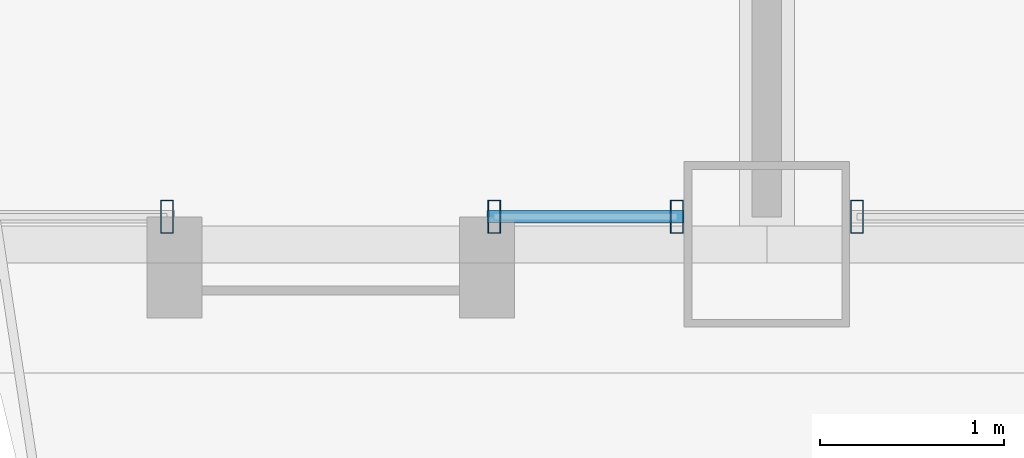
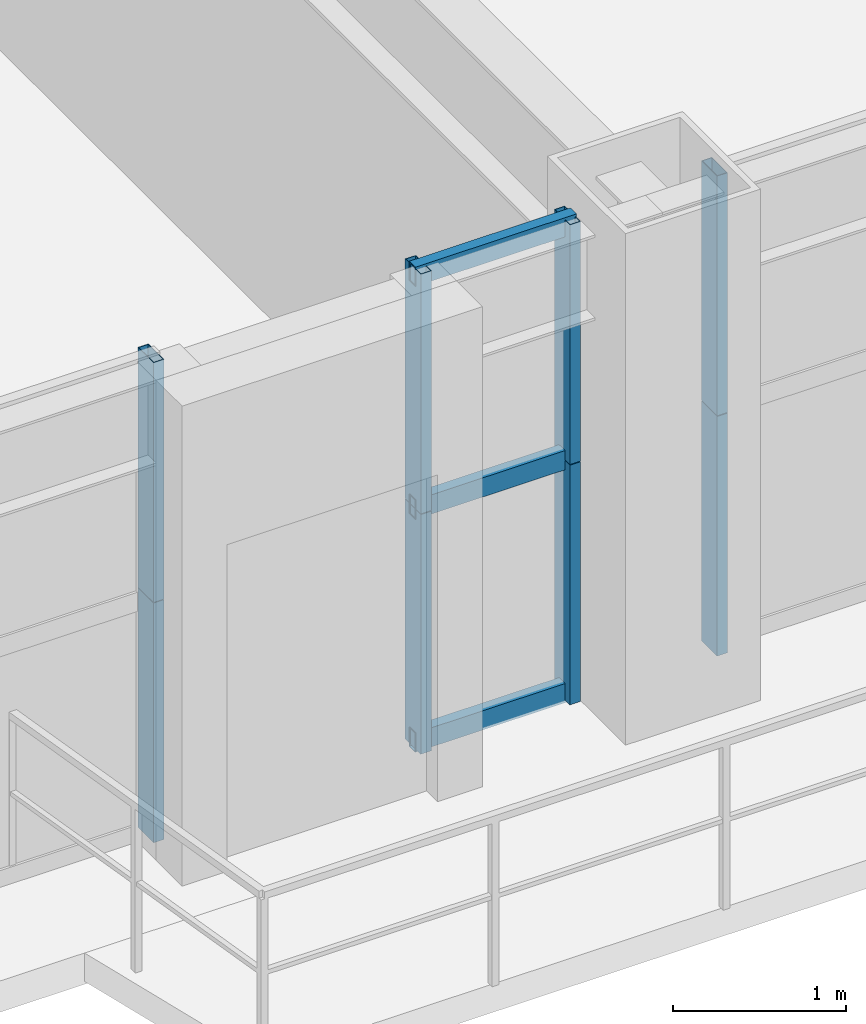
# One storey, part 8 of 45: 11 members, 3 elements without a shape of their own.
"""IFC4 building model written with IfcOpenShell, lengths in metres."""

import ifcopenshell
import ifcopenshell.guid

model = None  # the IFC model being written
_history = None  # IfcOwnerHistory: only IFC2X3 demands one
_inside = {}  # id of a spatial element -> (the spatial element, [elements in it])
_under = {}  # id of a project, library or spatial element -> (it, [spatial elements below it])
_declared = {}  # id of a project -> (the project, [libraries it declares])
_typed = {}  # id of a type object -> (the type object, [elements of that type])
_made_of = {}  # id of a material, layer set ... -> (it, [elements and type objects made of it])


def new_model(schema):
    """Start an empty IFC model of exactly this schema.

    Asked for "IFC4X3", IfcOpenShell would pick the latest addendum, in which some entities
    have other attributes; the version numbers below select the first issue.
    IFC2X3 requires an IfcOwnerHistory on every rooted entity: one is made here for all.
    """
    global model, _history
    if schema == "IFC4X3":
        model = ifcopenshell.file(schema_version=(4, 3, 0, 0))
    else:
        model = ifcopenshell.file(schema=schema)
    _inside.clear()
    _under.clear()
    _declared.clear()
    _typed.clear()
    _made_of.clear()
    _history = None
    if model.schema == "IFC2X3":
        org = make("IfcOrganization", Name="unknown")
        user = make(
            "IfcPersonAndOrganization",
            ThePerson=make("IfcPerson", FamilyName="unknown"),
            TheOrganization=org,
        )
        app = make(
            "IfcApplication",
            ApplicationDeveloper=org,
            Version="unknown",
            ApplicationFullName="unknown",
            ApplicationIdentifier="unknown",
        )
        _history = make(
            "IfcOwnerHistory",
            OwningUser=user,
            OwningApplication=app,
            ChangeAction="ADDED",
            CreationDate=0,
        )
    return model


def make(cls, **values):
    """One entity of the class cls with the attributes given. An attribute that is None is left unset."""
    return model.create_entity(
        cls, **{name: value for name, value in values.items() if value is not None}
    )


def rooted(cls, **values):
    """An entity with a GlobalId (a new one), such as an element, a storey or a relation."""
    return make(cls, GlobalId=ifcopenshell.guid.new(), OwnerHistory=_history, **values)


def si_unit(unit_type, name, prefix=None):
    """IfcSIUnit, for example si_unit("LENGTHUNIT", "METRE", prefix="MILLI")."""
    return make("IfcSIUnit", UnitType=unit_type, Prefix=prefix, Name=name)


def assignment(units):
    """IfcUnitAssignment: the units of a project."""
    return None if units is None else make("IfcUnitAssignment", Units=units)


def point(xyz):
    """IfcCartesianPoint."""
    return None if xyz is None else make("IfcCartesianPoint", Coordinates=xyz)


def direction(xyz):
    """IfcDirection."""
    return None if xyz is None else make("IfcDirection", DirectionRatios=xyz)


def frame(location, z_axis=None, x_axis=None):
    """IfcAxis2Placement3D, a coordinate frame: its origin and axes. An axis left out is left unset."""
    return make(
        "IfcAxis2Placement3D",
        Location=point(location),
        Axis=direction(z_axis),
        RefDirection=direction(x_axis),
    )


def frame_2d(location, x_axis=None):
    """IfcAxis2Placement2D, a coordinate frame in the plane: its origin and x axis."""
    return make(
        "IfcAxis2Placement2D", Location=point(location), RefDirection=direction(x_axis)
    )


def origin():
    """The frame at (0, 0, 0) with its axes left unset."""
    return frame((0.0, 0.0, 0.0))


def origin_2d():
    """The frame at (0, 0) in the plane with its x axis left unset."""
    return frame_2d((0.0, 0.0))


def place(relative_to, where):
    """IfcLocalPlacement: puts the frame where relative to a parent placement (None: the world)."""
    return make(
        "IfcLocalPlacement", PlacementRelTo=relative_to, RelativePlacement=where
    )


def context(
    kind, dimensions, precision=None, world=None, true_north=None, identifier=None
):
    """IfcGeometricRepresentationContext, for example the 3D "Model" context."""
    return make(
        "IfcGeometricRepresentationContext",
        ContextIdentifier=identifier,
        ContextType=kind,
        CoordinateSpaceDimension=dimensions,
        Precision=precision,
        WorldCoordinateSystem=world,
        TrueNorth=true_north,
    )


def subcontext(parent, identifier, kind, view, scale=None):
    """IfcGeometricRepresentationSubContext, for example "Body" below "Model"."""
    return make(
        "IfcGeometricRepresentationSubContext",
        ContextIdentifier=identifier,
        ContextType=kind,
        ParentContext=parent,
        TargetScale=scale,
        TargetView=view,
    )


def project(units=None, contexts=None):
    """IfcProject with its units and contexts."""
    return rooted(
        "IfcProject",
        Name="project",
        RepresentationContexts=contexts,
        UnitsInContext=assignment(units),
    )


def spatial(cls, under=None, at=None, **own):
    """A site, building, storey or space (cls), placed at a placement, below another one or the project."""
    s = rooted(cls, ObjectPlacement=at, **own)
    if under is not None:
        _under.setdefault(under.id(), (under, []))[1].append(s)
    return s


def profile(cls, at=None, kind="AREA", **sizes):
    """A parametric profile (cls). Its sizes go by their IFC names, for example OverallWidth=200.0."""
    return make(cls, ProfileType=kind, Position=at, **sizes)


def hollow_rectangle(**sizes):
    """IfcRectangleHollowProfileDef."""
    return profile("IfcRectangleHollowProfileDef", **sizes)


def extrude(swept, where, along, depth):
    """IfcExtrudedAreaSolid: the profile swept, set in the frame where, extruded along a direction by depth."""
    return make(
        "IfcExtrudedAreaSolid",
        SweptArea=swept,
        Position=where,
        ExtrudedDirection=direction(along),
        Depth=depth,
    )


def shape(context_of_items, identifier, shape_type, items):
    """IfcShapeRepresentation: the items that make up one representation, for example the "Body"."""
    return make(
        "IfcShapeRepresentation",
        ContextOfItems=context_of_items,
        RepresentationIdentifier=identifier,
        RepresentationType=shape_type,
        Items=items,
    )


def source(mapping_origin, context_of_items, identifier, shape_type, items):
    """IfcRepresentationMap: a shape defined once, which mapped items show again and again."""
    return make(
        "IfcRepresentationMap",
        MappingOrigin=mapping_origin,
        MappedRepresentation=shape(context_of_items, identifier, shape_type, items),
    )


def transform(
    local_origin,
    x_axis=None,
    y_axis=None,
    z_axis=None,
    scale=None,
    scale2=None,
    scale3=None,
    uniform=True,
):
    """IfcCartesianTransformationOperator3D, or its non-uniform kind. x_axis, y_axis, z_axis: its Axis1, 2, 3."""
    if uniform:
        return make(
            "IfcCartesianTransformationOperator3D",
            Axis1=direction(x_axis),
            Axis2=direction(y_axis),
            LocalOrigin=point(local_origin),
            Scale=scale,
            Axis3=direction(z_axis),
        )
    return make(
        "IfcCartesianTransformationOperator3DnonUniform",
        Axis1=direction(x_axis),
        Axis2=direction(y_axis),
        LocalOrigin=point(local_origin),
        Scale=scale,
        Axis3=direction(z_axis),
        Scale2=scale2,
        Scale3=scale3,
    )


def mapped(mapping_source, mapping_target):
    """IfcMappedItem: shows the shape of a source again, moved by a transform."""
    return make(
        "IfcMappedItem", MappingSource=mapping_source, MappingTarget=mapping_target
    )


def material(Name=None, Category=None):
    """IfcMaterial."""
    return make("IfcMaterial", Name=Name, Category=Category)


def layer(
    of_material, thickness, ventilated=None, Name=None, Category=None, Priority=None
):
    """IfcMaterialLayer: one layer of a wall or slab, of a material (None: an air gap)."""
    return make(
        "IfcMaterialLayer",
        Material=of_material,
        LayerThickness=thickness,
        IsVentilated=ventilated,
        Name=Name,
        Category=Category,
        Priority=Priority,
    )


def layer_set(layers, Name=None):
    """IfcMaterialLayerSet."""
    return make("IfcMaterialLayerSet", MaterialLayers=layers, LayerSetName=Name)


def material_profile(
    of_material, cross_section, Name=None, Category=None, Priority=None
):
    """IfcMaterialProfile: a cross section and its material."""
    return make(
        "IfcMaterialProfile",
        Name=Name,
        Material=of_material,
        Profile=cross_section,
        Priority=Priority,
        Category=Category,
    )


def profile_set(profiles, Name=None, composite=None):
    """IfcMaterialProfileSet."""
    return make(
        "IfcMaterialProfileSet",
        Name=Name,
        MaterialProfiles=profiles,
        CompositeProfile=composite,
    )


def made_of(thing, what):
    """Note that an element or type object is made of a material, layer set ...; save() writes the relation."""
    if what is not None:
        _made_of.setdefault(what.id(), (what, []))[1].append(thing)
    return thing


def type_object(cls, material=None, **own):
    """A type object (cls), such as IfcWallType, which elements share."""
    return made_of(rooted(cls, **own), material)


def element(
    cls,
    number,
    at=None,
    inside=None,
    cuts=None,
    type_object=None,
    material=None,
    context=None,
    identifier="Body",
    shape_type=None,
    held_by="IfcProductDefinitionShape",
    body=None,
    shapes=None,
    **own,
):
    """One element of the class cls, such as IfcWall. Its Tag is "e" and its number.

    at: its placement. inside: the storey or other place that contains it. cuts: it is an
    opening in that element (IfcRelVoidsElement). A single representation is given by context,
    identifier, shape_type and body (its items); several are given by shapes. held_by: the class
    of the entity that holds the representations. save() writes the other relations.
    """
    e = rooted(cls, Tag="e%d" % number, ObjectPlacement=at, **own)
    if body is not None:
        shapes = [shape(context, identifier, shape_type, body)]
    if shapes is not None:
        e.Representation = make(held_by, Representations=shapes)
    if inside is not None:
        _inside.setdefault(inside.id(), (inside, []))[1].append(e)
    if cuts is not None:
        rooted(
            "IfcRelVoidsElement", RelatingBuildingElement=cuts, RelatedOpeningElement=e
        )
    if type_object is not None:
        _typed.setdefault(type_object.id(), (type_object, []))[1].append(e)
    return made_of(e, material)


def aggregate(whole, parts):
    """IfcRelAggregates: a whole, such as a stair, and the parts it consists of."""
    return rooted("IfcRelAggregates", RelatingObject=whole, RelatedObjects=parts)


def save(model, path):
    """Write the relations noted so far, then the file.

    IfcRelAggregates (storeys below a building ...), IfcRelContainedInSpatialStructure (elements
    in a storey), IfcRelDefinesByType, IfcRelAssociatesMaterial and IfcRelDeclares: one each for
    every whole, place, type object, material and project.
    """
    for whole, parts in _under.values():
        aggregate(whole, parts)
    for where, things in _inside.values():
        rooted(
            "IfcRelContainedInSpatialStructure",
            RelatedElements=things,
            RelatingStructure=where,
        )
    for kind, things in _typed.values():
        rooted("IfcRelDefinesByType", RelatedObjects=things, RelatingType=kind)
    for what, things in _made_of.values():
        rooted("IfcRelAssociatesMaterial", RelatedObjects=things, RelatingMaterial=what)
    for by, libraries in _declared.values():
        rooted("IfcRelDeclares", RelatingContext=by, RelatedDefinitions=libraries)
    model.write(path)


model = new_model("IFC4")

# Units and contexts
model_context = context("Model", 3, precision=1e-05, world=origin(), true_north=direction((0.0, 1.0)))
body_context = subcontext(model_context, "Body", "Model", "MODEL_VIEW")
ifc_project = project(units=[si_unit("LENGTHUNIT", "METRE"), si_unit("AREAUNIT", "SQUARE_METRE"), si_unit("VOLUMEUNIT", "CUBIC_METRE"), si_unit("PLANEANGLEUNIT", "RADIAN"), si_unit("MASSUNIT", "GRAM", prefix="KILO"), si_unit("THERMODYNAMICTEMPERATUREUNIT", "KELVIN"), si_unit("POWERUNIT", "WATT")], contexts=[model_context])

# Site, building, storey
site_placement = place(None, origin())
site = spatial("IfcSite", under=ifc_project, at=site_placement, CompositionType="ELEMENT")
building_placement = place(site_placement, origin())
building = spatial("IfcBuilding", under=site, at=building_placement, Name="Yuzanri Waterfront Tower", CompositionType="ELEMENT")
storey_placement = place(building_placement, frame((0.0, 0.0, 34.199951171875)))
storey = spatial("IfcBuildingStorey", under=building, at=storey_placement, Name="L08", CompositionType="ELEMENT", Elevation=34.199951171875)

# Curtain wall, members
ifc_material_1 = material(Name="Anodized Architectural Bronze", Category="metal")
ifc_layer = layer(ifc_material_1, 0.159912109375)
ifc_layer_set = layer_set([ifc_layer], Name="Anodized Architectural Bronze")
curtain_wall_type = type_object("IfcCurtainWallType", Name="Anodized Bronze Hotel Lower-Tier Recessed Unitized Curtain Wall 8100", PredefinedType="NOTDEFINED", material=ifc_layer_set)
curtain_wall_1_placement = place(storey_placement, origin())
curtain_wall_1 = element("IfcCurtainWall", 1, at=curtain_wall_1_placement, inside=storey, type_object=curtain_wall_type, Name="L08 Curtain Wall CW-L08-SL1", PredefinedType="NOTDEFINED")
ifc_material_2 = material(Name="Anodized Architectural Bronze", Category="metal")
ifc_material_profile_1 = material_profile(ifc_material_2, hollow_rectangle(XDim=0.070068359375, YDim=0.179931640625, WallThickness=0.00390625, at=origin_2d()), Name="CWM 70x180")
ifc_profile_set_1 = profile_set([ifc_material_profile_1], Name="Anodized Architectural Bronze")
member_type_1 = type_object("IfcMemberType", Name="Anodized Bronze Standard Curtain-Wall Mullion 70x180", PredefinedType="MULLION", material=ifc_profile_set_1)
shared_shape_1 = source(origin(), body_context, "Body", "SweptSolid", [
    extrude(hollow_rectangle(XDim=0.070068359375, YDim=0.179931640625, WallThickness=0.00390625, at=origin_2d()), origin(), (0.0, 0.0, 1.0), 1.68798828125),
])
member_1_placement = place(storey_placement, frame((33.737060546875, 0.85009765625, 0.0), z_axis=(0.0, 0.0, 1.0), x_axis=(1.0, 0.0, 0.0)))
member_1 = element("IfcMember", 2, at=member_1_placement, type_object=member_type_1, Name="CW-L08-SL1 Lower Mullion 02", PredefinedType="MULLION", context=body_context, shape_type="MappedRepresentation", body=[
    mapped(shared_shape_1, transform((0.0, 0.0, 0.0), scale=1.0)),
])
member_2_placement = place(storey_placement, frame((33.737060546875, 0.85009765625, 1.692138671875), z_axis=(0.0, 0.0, 1.0), x_axis=(1.0, 0.0, 0.0)))
member_2 = element("IfcMember", 3, at=member_2_placement, type_object=member_type_1, Name="CW-L08-SL1 Upper Mullion 02", PredefinedType="MULLION", context=body_context, shape_type="MappedRepresentation", body=[
    mapped(shared_shape_1, transform((0.0, 0.0, 0.0), scale=1.0)),
])
aggregate(curtain_wall_1, [member_1, member_2])

curtain_wall_2_placement = place(storey_placement, origin())
curtain_wall_2 = element("IfcCurtainWall", 4, at=curtain_wall_2_placement, inside=storey, type_object=curtain_wall_type, Name="L08 Curtain Wall CW-L08-SL2", PredefinedType="NOTDEFINED")
member_3_placement = place(storey_placement, frame((35.51708984375, 0.85009765625, 0.0), z_axis=(0.0, 0.0, 1.0), x_axis=(1.0, 0.0, 0.0)))
member_3 = element("IfcMember", 5, at=member_3_placement, type_object=member_type_1, Name="CW-L08-SL2 Lower Mullion 00", PredefinedType="MULLION", context=body_context, shape_type="MappedRepresentation", body=[
    mapped(shared_shape_1, transform((0.0, 0.0, 0.0), scale=1.0)),
])
member_4_placement = place(storey_placement, frame((35.51708984375, 0.85009765625, 1.692138671875), z_axis=(0.0, 0.0, 1.0), x_axis=(1.0, 0.0, 0.0)))
member_4 = element("IfcMember", 6, at=member_4_placement, type_object=member_type_1, Name="CW-L08-SL2 Upper Mullion 00", PredefinedType="MULLION", context=body_context, shape_type="MappedRepresentation", body=[
    mapped(shared_shape_1, transform((0.0, 0.0, 0.0), scale=1.0)),
])
member_5_placement = place(storey_placement, frame((36.510009765625, 0.85009765625, 0.0), z_axis=(0.0, 0.0, 1.0), x_axis=(1.0, 0.0, 0.0)))
member_5 = element("IfcMember", 7, at=member_5_placement, type_object=member_type_1, Name="CW-L08-SL2 Lower Mullion 01", PredefinedType="MULLION", context=body_context, shape_type="MappedRepresentation", body=[
    mapped(shared_shape_1, transform((0.0, 0.0, 0.0), scale=1.0)),
])
member_6_placement = place(storey_placement, frame((36.510009765625, 0.85009765625, 1.692138671875), z_axis=(0.0, 0.0, 1.0), x_axis=(1.0, 0.0, 0.0)))
member_6 = element("IfcMember", 8, at=member_6_placement, type_object=member_type_1, Name="CW-L08-SL2 Upper Mullion 01", PredefinedType="MULLION", context=body_context, shape_type="MappedRepresentation", body=[
    mapped(shared_shape_1, transform((0.0, 0.0, 0.0), scale=1.0)),
])

curtain_wall_3_placement = place(storey_placement, origin())
curtain_wall_3 = element("IfcCurtainWall", 9, at=curtain_wall_3_placement, inside=storey, type_object=curtain_wall_type, Name="L08 Curtain Wall CW-L08-SR", PredefinedType="NOTDEFINED")
member_7_placement = place(storey_placement, frame((37.489990234375, 0.85009765625, 0.0), z_axis=(0.0, 0.0, 1.0), x_axis=(1.0, 0.0, 0.0)))
member_7 = element("IfcMember", 10, at=member_7_placement, type_object=member_type_1, Name="CW-L08-SR Lower Mullion 00", PredefinedType="MULLION", context=body_context, shape_type="MappedRepresentation", body=[
    mapped(shared_shape_1, transform((0.0, 0.0, 0.0), scale=1.0)),
])
member_8_placement = place(storey_placement, frame((37.489990234375, 0.85009765625, 1.692138671875), z_axis=(0.0, 0.0, 1.0), x_axis=(1.0, 0.0, 0.0)))
member_8 = element("IfcMember", 11, at=member_8_placement, type_object=member_type_1, Name="CW-L08-SR Upper Mullion 00", PredefinedType="MULLION", context=body_context, shape_type="MappedRepresentation", body=[
    mapped(shared_shape_1, transform((0.0, 0.0, 0.0), scale=1.0)),
])
aggregate(curtain_wall_3, [member_7, member_8])

# Member
ifc_material_3 = material(Name="Anodized Architectural Bronze", Category="metal")
ifc_material_profile_2 = material_profile(ifc_material_3, hollow_rectangle(XDim=0.070068359375, YDim=0.135009765625, WallThickness=0.00341796875, at=origin_2d()), Name="CWT 70x135")
ifc_profile_set_2 = profile_set([ifc_material_profile_2], Name="Anodized Architectural Bronze")
member_type_2 = type_object("IfcMemberType", Name="Anodized Bronze Standard Curtain-Wall Transom 70x135", PredefinedType="USERDEFINED", material=ifc_profile_set_2)
shared_shape_2 = source(origin(), body_context, "Body", "SweptSolid", [
    extrude(hollow_rectangle(XDim=0.070068359375, YDim=0.135009765625, WallThickness=0.00341796875, at=origin_2d()), origin(), (0.0, 0.0, 1.0), 1.072998046875),
])
member_9_placement = place(storey_placement, frame((35.47705078125, 0.85009765625, 0.050048828125), z_axis=(1.0, 0.0, 0.0), x_axis=(0.0, 1.0, 0.0)))
member_9 = element("IfcMember", 12, at=member_9_placement, type_object=member_type_2, Name="CW-L08-SL2 Transom 1", ObjectType="TRANSOM", PredefinedType="USERDEFINED", context=body_context, shape_type="MappedRepresentation", body=[
    mapped(shared_shape_2, transform((0.0, 0.0, 0.0), scale=1.0)),
])

member_10_placement = place(storey_placement, frame((35.47705078125, 0.85009765625, 1.68994140625), z_axis=(1.0, 0.0, 0.0), x_axis=(0.0, 1.0, 0.0)))
member_10 = element("IfcMember", 13, at=member_10_placement, type_object=member_type_2, Name="CW-L08-SL2 Transom 2", ObjectType="TRANSOM", PredefinedType="USERDEFINED", context=body_context, shape_type="MappedRepresentation", body=[
    mapped(shared_shape_2, transform((0.0, 0.0, 0.0), scale=1.0)),
])

member_11_placement = place(storey_placement, frame((35.47705078125, 0.85009765625, 3.330078125), z_axis=(1.0, 0.0, 0.0), x_axis=(0.0, 1.0, 0.0)))
member_11 = element("IfcMember", 14, at=member_11_placement, type_object=member_type_2, Name="CW-L08-SL2 Transom 3", ObjectType="TRANSOM", PredefinedType="USERDEFINED", context=body_context, shape_type="MappedRepresentation", body=[
    mapped(shared_shape_2, transform((0.0, 0.0, 0.0), scale=1.0)),
])

aggregate(curtain_wall_2, [member_3, member_4, member_5, member_6, member_9, member_10, member_11])

save(model, "model.ifc")
